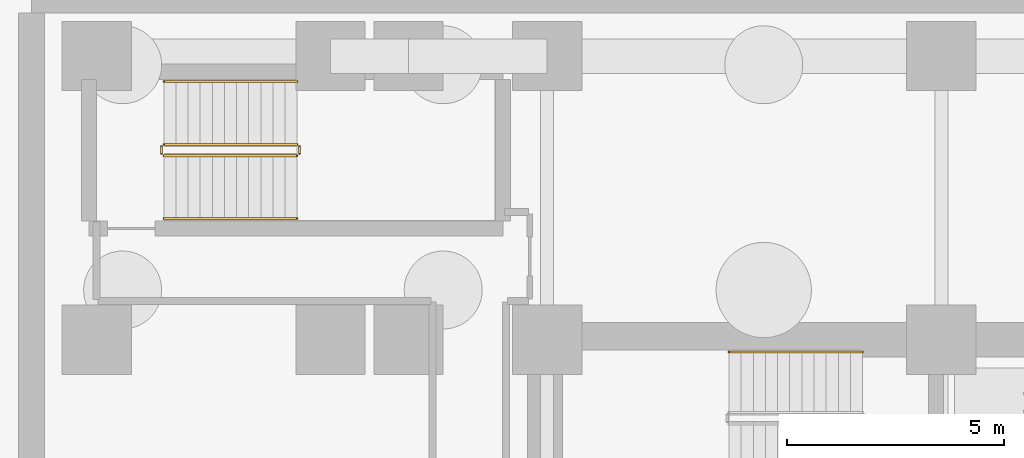
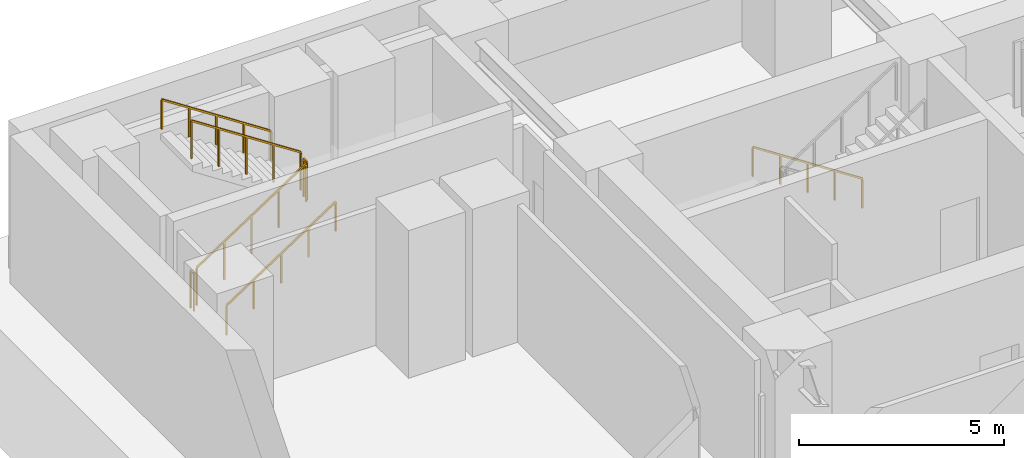
# One storey, part 7 of 9: 7 railings.
"""IFC4 building model written with IfcOpenShell, lengths in metres."""

from ifc_helpers import new_model, si_unit, direction, frame, origin, origin_2d, place, context, subcontext, project, spatial, rectangle, extrude, material, type_object, element, save


model = new_model("IFC4")

# Units and contexts
model_context = context("Model", 3, precision=1e-05, world=origin(), true_north=direction((0.0, 1.0)))
body_context = subcontext(model_context, "Body", "Model", "MODEL_VIEW")
ifc_project = project(units=[si_unit("LENGTHUNIT", "METRE"), si_unit("AREAUNIT", "SQUARE_METRE"), si_unit("VOLUMEUNIT", "CUBIC_METRE"), si_unit("PLANEANGLEUNIT", "RADIAN"), si_unit("MASSUNIT", "GRAM", prefix="KILO")], contexts=[model_context])

# Site, building, storey
site_placement = place(None, origin())
site = spatial("IfcSite", under=ifc_project, at=site_placement, CompositionType="ELEMENT")
building_placement = place(site_placement, origin())
building = spatial("IfcBuilding", under=site, at=building_placement, Name="Zarnavel Station Tower", CompositionType="ELEMENT")
storey_placement = place(building_placement, frame((0.0, 0.0, -13.199951171875)))
storey = spatial("IfcBuildingStorey", under=building, at=storey_placement, Name="B03", CompositionType="ELEMENT", Elevation=-13.199951171875)

# Railings
ifc_material_1 = material(Name="Painted Steel S355J2 Balustrade", Category="steel")
railing_type_1 = type_object("IfcRailingType", Name="GR_INT_1150", PredefinedType="GUARDRAIL", material=ifc_material_1)
railing_1_placement = place(storey_placement, frame((3.35009765625, 41.300048828125, 0.183349609375)))
element("IfcRailing", 1, at=railing_1_placement, inside=storey, type_object=railing_type_1, Name="B03 ST4 stair guard 1", PredefinedType="GUARDRAIL", context=body_context, shape_type="SweptSolid", body=[
    extrude(rectangle(XDim=0.048095703125, YDim=0.048095703125, at=origin_2d()), frame((0.001708984375, 0.0, 1.126953125), z_axis=(0.836613101238, 0.0, 0.547794230379), x_axis=(0.0, 1.0, 0.0)), (0.0, 0.0, 1.0), 3.67724609375),
    extrude(rectangle(XDim=0.0419921875, YDim=0.0419921875, at=origin_2d()), origin(), (0.0, 0.0, 1.0), 1.101806640625),
    extrude(rectangle(XDim=0.0419921875, YDim=0.0419921875, at=origin_2d()), frame((0.77001953125, 0.0, 0.504150390625)), (0.0, 0.0, 1.0), 1.101806640625),
    extrude(rectangle(XDim=0.0419921875, YDim=0.0419921875, at=origin_2d()), frame((1.5400390625, 0.0, 1.00830078125)), (0.0, 0.0, 1.0), 1.101806640625),
    extrude(rectangle(XDim=0.0419921875, YDim=0.0419921875, at=origin_2d()), frame((2.309814453125, 0.0, 1.512451171875)), (0.0, 0.0, 1.0), 1.101806640625),
    extrude(rectangle(XDim=0.0419921875, YDim=0.0419921875, at=origin_2d()), frame((3.079833984375, 0.0, 2.0166015625)), (0.0, 0.0, 1.0), 1.101806640625),
])
railing_2_placement = place(storey_placement, frame((6.47998046875, 41.35009765625, 2.199951171875)))
element("IfcRailing", 2, at=railing_2_placement, inside=storey, type_object=railing_type_1, Name="B03 ST4 stair guard 2", PredefinedType="GUARDRAIL", context=body_context, shape_type="SweptSolid", body=[
    extrude(rectangle(XDim=0.048095703125, YDim=0.048095703125, at=origin_2d()), frame((0.0, 0.001953125, 1.1259765625), z_axis=(0.0, 1.0, 0.0), x_axis=(-1.0, 0.0, 0.0)), (0.0, 0.0, 1.0), 0.156005859375),
    extrude(rectangle(XDim=0.0419921875, YDim=0.0419921875, at=origin_2d()), origin(), (0.0, 0.0, 1.0), 1.101806640625),
    extrude(rectangle(XDim=0.0419921875, YDim=0.0419921875, at=origin_2d()), frame((0.0, 0.159912109375, 0.0)), (0.0, 0.0, 1.0), 1.101806640625),
])
railing_3_placement = place(storey_placement, frame((6.429931640625, 41.56005859375, 2.38330078125)))
element("IfcRailing", 3, at=railing_3_placement, inside=storey, type_object=railing_type_1, Name="B03 ST4 stair guard 3", PredefinedType="GUARDRAIL", context=body_context, shape_type="SweptSolid", body=[
    extrude(rectangle(XDim=0.048095703125, YDim=0.048095703125, at=origin_2d()), frame((-0.001708984375, 0.0, 1.126953125), z_axis=(-0.836613101238, 0.0, 0.547794230379), x_axis=(0.0, -1.0, 0.0)), (0.0, 0.0, 1.0), 3.67724609375),
    extrude(rectangle(XDim=0.0419921875, YDim=0.0419921875, at=origin_2d()), origin(), (0.0, 0.0, 1.0), 1.101806640625),
    extrude(rectangle(XDim=0.0419921875, YDim=0.0419921875, at=origin_2d()), frame((-0.77001953125, 0.0, 0.504150390625)), (0.0, 0.0, 1.0), 1.101806640625),
    extrude(rectangle(XDim=0.0419921875, YDim=0.0419921875, at=origin_2d()), frame((-1.5400390625, 0.0, 1.00830078125)), (0.0, 0.0, 1.0), 1.101806640625),
    extrude(rectangle(XDim=0.0419921875, YDim=0.0419921875, at=origin_2d()), frame((-2.309814453125, 0.0, 1.512451171875)), (0.0, 0.0, 1.0), 1.101806640625),
    extrude(rectangle(XDim=0.0419921875, YDim=0.0419921875, at=origin_2d()), frame((-3.079833984375, 0.0, 2.0166015625)), (0.0, 0.0, 1.0), 1.101806640625),
])
railing_4_placement = place(storey_placement, frame((3.300048828125, 41.35009765625, 0.0)))
element("IfcRailing", 4, at=railing_4_placement, inside=storey, type_object=railing_type_1, Name="B03 ST4 stair guard 4", PredefinedType="GUARDRAIL", context=body_context, shape_type="SweptSolid", body=[
    extrude(rectangle(XDim=0.048095703125, YDim=0.048095703125, at=origin_2d()), frame((0.0, 0.001953125, 1.1259765625), z_axis=(0.0, 1.0, 0.0), x_axis=(-1.0, 0.0, 0.0)), (0.0, 0.0, 1.0), 0.156005859375),
    extrude(rectangle(XDim=0.0419921875, YDim=0.0419921875, at=origin_2d()), origin(), (0.0, 0.0, 1.0), 1.101806640625),
    extrude(rectangle(XDim=0.0419921875, YDim=0.0419921875, at=origin_2d()), frame((0.0, 0.159912109375, 0.0)), (0.0, 0.0, 1.0), 1.101806640625),
])
ifc_material_2 = material(Name="Brushed Stainless Steel S355J2 Handrail", Category="steel")
railing_type_2 = type_object("IfcRailingType", Name="HR_STAIR_900", PredefinedType="HANDRAIL", material=ifc_material_2)
railing_5_placement = place(storey_placement, frame((19.47998046875, 36.77001953125, 0.183349609375)))
element("IfcRailing", 5, at=railing_5_placement, inside=storey, type_object=railing_type_2, Name="B03 ST1 stair handrail 1", PredefinedType="HANDRAIL", context=body_context, shape_type="SweptSolid", body=[
    extrude(rectangle(XDim=0.048095703125, YDim=0.048095703125, at=origin_2d()), frame((-0.001708984375, 0.0, 0.876953125), z_axis=(-0.836633000464, 0.0, 0.547763838287), x_axis=(0.0, -1.0, 0.0)), (0.0, 0.0, 1.0), 3.677490234375),
    extrude(rectangle(XDim=0.0419921875, YDim=0.0419921875, at=origin_2d()), origin(), (0.0, 0.0, 1.0), 0.851806640625),
    extrude(rectangle(XDim=0.0419921875, YDim=0.0419921875, at=origin_2d()), frame((-0.77001953125, 0.0, 0.504150390625)), (0.0, 0.0, 1.0), 0.851806640625),
    extrude(rectangle(XDim=0.0419921875, YDim=0.0419921875, at=origin_2d()), frame((-1.5400390625, 0.0, 1.00830078125)), (0.0, 0.0, 1.0), 0.851806640625),
    extrude(rectangle(XDim=0.0419921875, YDim=0.0419921875, at=origin_2d()), frame((-2.31005859375, 0.0, 1.512451171875)), (0.0, 0.0, 1.0), 0.851806640625),
    extrude(rectangle(XDim=0.0419921875, YDim=0.0419921875, at=origin_2d()), frame((-3.080078125, 0.0, 2.0166015625)), (0.0, 0.0, 1.0), 0.851806640625),
])
railing_6_placement = place(storey_placement, frame((3.35009765625, 39.85009765625, 0.183349609375)))
element("IfcRailing", 6, at=railing_6_placement, inside=storey, type_object=railing_type_2, Name="B03 ST4 stair handrail 1", PredefinedType="HANDRAIL", context=body_context, shape_type="SweptSolid", body=[
    extrude(rectangle(XDim=0.048095703125, YDim=0.048095703125, at=origin_2d()), frame((0.001708984375, 0.0, 0.876953125), z_axis=(0.836613101238, 0.0, 0.547794230379), x_axis=(0.0, 1.0, 0.0)), (0.0, 0.0, 1.0), 3.67724609375),
    extrude(rectangle(XDim=0.0419921875, YDim=0.0419921875, at=origin_2d()), origin(), (0.0, 0.0, 1.0), 0.851806640625),
    extrude(rectangle(XDim=0.0419921875, YDim=0.0419921875, at=origin_2d()), frame((0.77001953125, 0.0, 0.504150390625)), (0.0, 0.0, 1.0), 0.851806640625),
    extrude(rectangle(XDim=0.0419921875, YDim=0.0419921875, at=origin_2d()), frame((1.5400390625, 0.0, 1.00830078125)), (0.0, 0.0, 1.0), 0.851806640625),
    extrude(rectangle(XDim=0.0419921875, YDim=0.0419921875, at=origin_2d()), frame((2.309814453125, 0.0, 1.512451171875)), (0.0, 0.0, 1.0), 0.851806640625),
    extrude(rectangle(XDim=0.0419921875, YDim=0.0419921875, at=origin_2d()), frame((3.079833984375, 0.0, 2.0166015625)), (0.0, 0.0, 1.0), 0.851806640625),
])
railing_7_placement = place(storey_placement, frame((6.429931640625, 43.010009765625, 2.38330078125)))
element("IfcRailing", 7, at=railing_7_placement, inside=storey, type_object=railing_type_2, Name="B03 ST4 stair handrail 2", PredefinedType="HANDRAIL", context=body_context, shape_type="SweptSolid", body=[
    extrude(rectangle(XDim=0.048095703125, YDim=0.048095703125, at=origin_2d()), frame((-0.001708984375, 0.0, 0.876953125), z_axis=(-0.836613101238, 0.0, 0.547794230379), x_axis=(0.0, -1.0, 0.0)), (0.0, 0.0, 1.0), 3.67724609375),
    extrude(rectangle(XDim=0.0419921875, YDim=0.0419921875, at=origin_2d()), origin(), (0.0, 0.0, 1.0), 0.851806640625),
    extrude(rectangle(XDim=0.0419921875, YDim=0.0419921875, at=origin_2d()), frame((-0.77001953125, 0.0, 0.504150390625)), (0.0, 0.0, 1.0), 0.851806640625),
    extrude(rectangle(XDim=0.0419921875, YDim=0.0419921875, at=origin_2d()), frame((-1.5400390625, 0.0, 1.00830078125)), (0.0, 0.0, 1.0), 0.851806640625),
    extrude(rectangle(XDim=0.0419921875, YDim=0.0419921875, at=origin_2d()), frame((-2.309814453125, 0.0, 1.512451171875)), (0.0, 0.0, 1.0), 0.851806640625),
    extrude(rectangle(XDim=0.0419921875, YDim=0.0419921875, at=origin_2d()), frame((-3.079833984375, 0.0, 2.0166015625)), (0.0, 0.0, 1.0), 0.851806640625),
])

save(model, "model.ifc")
